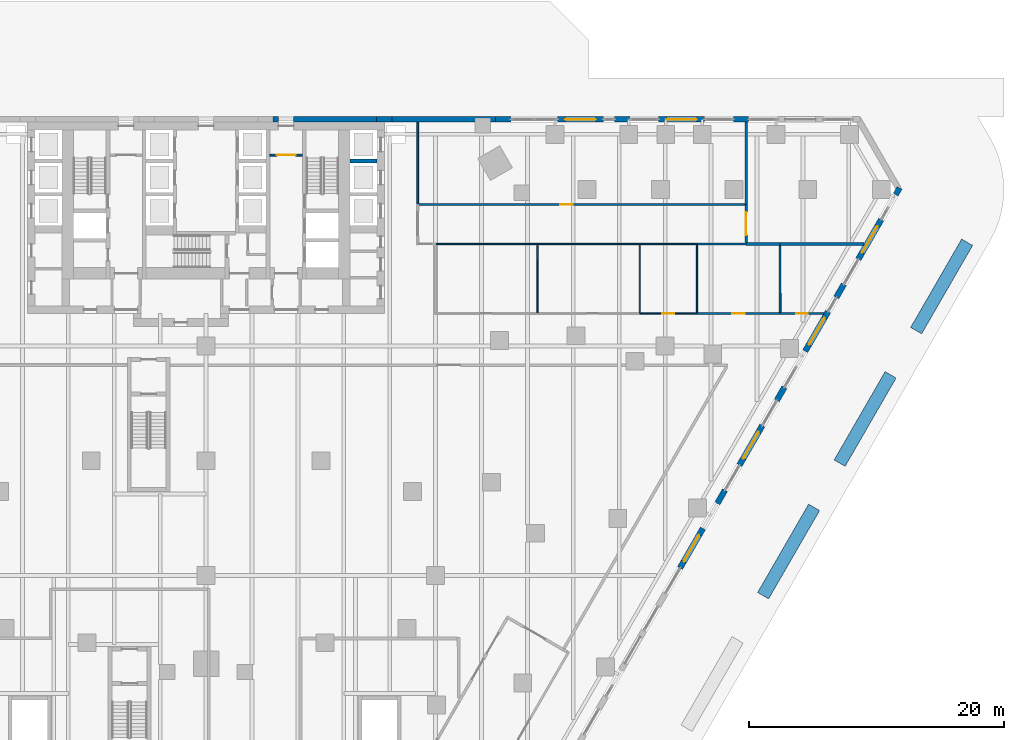
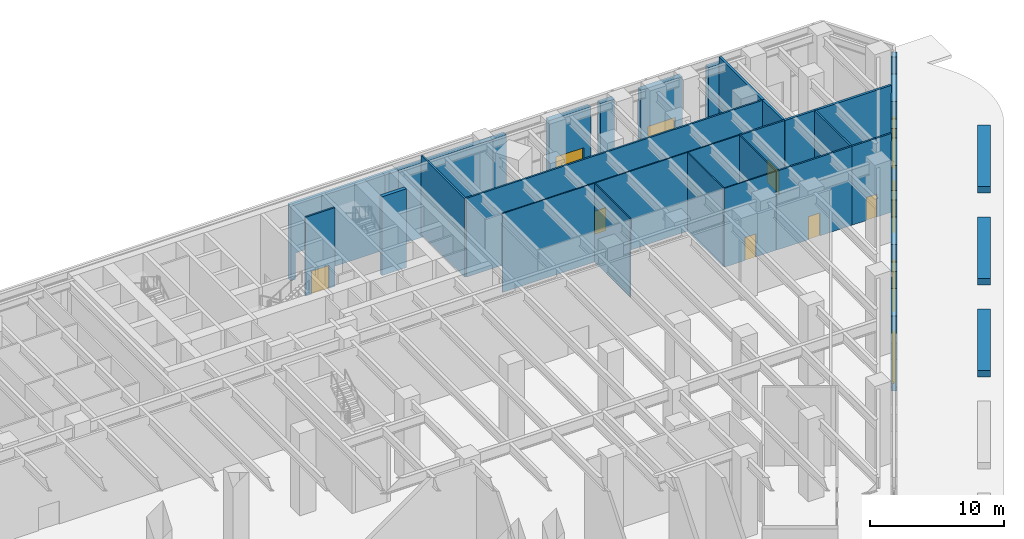
# One storey, part 32 of 37: 38 walls, 12 doors, 12 openings.
"""IFC4 building model written with IfcOpenShell, lengths in metres."""

from ifc_helpers import new_model, si_unit, direction, frame, frame_2d, origin, place, context, subcontext, project, spatial, polyline, rectangle, outline, extrude, material, layer, layer_set, type_object, element, fill, save


model = new_model("IFC4")

# Units and contexts
model_context = context("Model", 3, precision=1e-05, world=origin(), true_north=direction((0.0, 1.0)))
body_context = subcontext(model_context, "Body", "Model", "MODEL_VIEW")
ifc_project = project(units=[si_unit("LENGTHUNIT", "METRE"), si_unit("AREAUNIT", "SQUARE_METRE"), si_unit("VOLUMEUNIT", "CUBIC_METRE"), si_unit("PLANEANGLEUNIT", "RADIAN"), si_unit("MASSUNIT", "GRAM", prefix="KILO")], contexts=[model_context])

# Site, building, storey
site_placement = place(None, origin())
site = spatial("IfcSite", under=ifc_project, at=site_placement, CompositionType="ELEMENT")
building_placement = place(site_placement, origin())
building = spatial("IfcBuilding", under=site, at=building_placement, Name="Aloe Facet Convention Tower", CompositionType="ELEMENT")
storey_placement = place(building_placement, origin())
storey = spatial("IfcBuildingStorey", under=building, at=storey_placement, Name="L00", CompositionType="ELEMENT", Elevation=0.0)

# Wall, opening, door
ifc_material_1 = material(Name="Concrete blockwork partition", Category="masonry")
ifc_layer_1 = layer(ifc_material_1, 0.14990234375)
ifc_layer_set_1 = layer_set([ifc_layer_1], Name="CR-W-PART150")
wall_type_1 = type_object("IfcWallType", Name="CR-W-PART150", PredefinedType="PARTITIONING", material=ifc_layer_set_1)
wall_1_placement = place(storey_placement, frame((85.0, 131.97509765625, 0.0), z_axis=(0.0, 0.0, 1.0), x_axis=(1.0, 0.0, 0.0)))
wall_1 = element("IfcWall", 1, at=wall_1_placement, inside=storey, type_object=wall_type_1, Name="Core partition L00-040", PredefinedType="PARTITIONING", context=body_context, shape_type="SweptSolid", body=[
    extrude(rectangle(XDim=2.550048828125, YDim=0.14990234375, at=frame_2d((1.27490234375, 0.0))), origin(), (0.0, 0.0, 1.0), 7.199951171875),
])
opening_1_placement = place(wall_1_placement, frame((0.52490234375, 0.0, 0.0)))
opening_1 = element("IfcOpeningElement", 2, at=opening_1_placement, cuts=wall_1, Name="Opening L00-CD21", PredefinedType="OPENING", context=body_context, shape_type="SweptSolid", body=[
    extrude(rectangle(XDim=1.5, YDim=2.10009765625, at=frame_2d((0.75, 1.050048828125))), frame((0.0, 0.0849609375, 0.0), z_axis=(0.0, -1.0, 0.0), x_axis=(1.0, 0.0, 0.0)), (0.0, 0.0, 1.0), 0.169921875),
])
ifc_material_2 = material(Name="Steel fire-resisting door set FD60", Category="steel")
door_type_1 = type_object("IfcDoorType", Name="CR-D-REFUGE-1500-FD60-DD", OperationType="DOUBLE_DOOR_DOUBLE_SWING", PredefinedType="DOOR", material=ifc_material_2)
door_1_placement = place(opening_1_placement, origin())
door_1 = element("IfcDoor", 3, at=door_1_placement, inside=storey, type_object=door_type_1, Name="Core door L00-CD21", OperationType="DOUBLE_DOOR_DOUBLE_SWING", OverallHeight=2.10009765625, OverallWidth=1.5, PredefinedType="DOOR", context=body_context, shape_type="SweptSolid", body=[
    extrude(rectangle(XDim=1.5, YDim=2.10009765625, at=frame_2d((0.75, 1.050048828125))), frame((0.0, 0.02490234375, 0.0), z_axis=(0.0, -1.0, 0.0), x_axis=(1.0, 0.0, 0.0)), (0.0, 0.0, 1.0), 0.050048828125),
])
fill(opening_1, door_1)

# Walls
ifc_material_3 = material(Name="Concrete C80/95", Category="concrete")
ifc_layer_2 = layer(ifc_material_3, 0.300048828125)
ifc_layer_set_2 = layer_set([ifc_layer_2], Name="CR-W-RC300-C8095")
wall_type_2 = type_object("IfcWallType", Name="CR-W-RC300-C8095", PredefinedType="SOLIDWALL", material=ifc_layer_set_2)
wall_2_placement = place(storey_placement, frame((91.300048828125, 131.5, 0.0), z_axis=(0.0, 0.0, 1.0), x_axis=(1.0, 0.0, 0.0)))
element("IfcWall", 4, at=wall_2_placement, inside=storey, type_object=wall_type_2, Name="Core wall L00-050", PredefinedType="SOLIDWALL", context=body_context, shape_type="SweptSolid", body=[
    extrude(rectangle(XDim=2.099853515625, YDim=0.300048828125, at=frame_2d((1.0498046875, 0.0))), origin(), (0.0, 0.0, 1.0), 7.199951171875),
])
ifc_material_4 = material(Name="Precast concrete C40/50", Category="concrete")
ifc_layer_3 = layer(ifc_material_4, 1.0)
ifc_layer_set_3 = layer_set([ifc_layer_3], Name="EV-PLANTER-BED")
wall_type_3 = type_object("IfcWallType", Name="EV-PLANTER-BED", PredefinedType="STANDARD", material=ifc_layer_set_3)
wall_3_placement = place(storey_placement, frame((139.6787109375, 125.13720703125, 0.0), z_axis=(0.0, 0.0, 1.0), x_axis=(-0.49999894854, -0.866026010844, 0.0)))
element("IfcWall", 5, at=wall_3_placement, inside=storey, type_object=wall_type_3, Name="PLANTER G-1", PredefinedType="STANDARD", context=body_context, shape_type="SweptSolid", body=[
    extrude(rectangle(XDim=8.0, YDim=1.0, at=frame_2d((4.0, 0.0))), origin(), (0.0, 0.0, 1.0), 0.60009765625),
])
wall_4_placement = place(storey_placement, frame((133.6787109375, 114.744873046875, 0.0), z_axis=(0.0, 0.0, 1.0), x_axis=(-0.500012163284, -0.866018381195, 0.0)))
element("IfcWall", 6, at=wall_4_placement, inside=storey, type_object=wall_type_3, Name="PLANTER G-2", PredefinedType="STANDARD", context=body_context, shape_type="SweptSolid", body=[
    extrude(rectangle(XDim=7.999755859375, YDim=1.0, at=frame_2d((4.0, 0.0))), origin(), (0.0, 0.0, 1.0), 0.60009765625),
])
wall_5_placement = place(storey_placement, frame((127.6787109375, 104.352783203125, 0.0), z_axis=(0.0, 0.0, 1.0), x_axis=(-0.49999894854, -0.866026010844, 0.0)))
element("IfcWall", 7, at=wall_5_placement, inside=storey, type_object=wall_type_3, Name="PLANTER G-3", PredefinedType="STANDARD", context=body_context, shape_type="SweptSolid", body=[
    extrude(rectangle(XDim=8.0, YDim=1.0, at=frame_2d((4.0, 0.0))), origin(), (0.0, 0.0, 1.0), 0.60009765625),
])
ifc_material_5 = material(Name="Precast concrete C40/50", Category="concrete")
ifc_layer_4 = layer(ifc_material_5, 0.449951171875)
ifc_layer_set_4 = layer_set([ifc_layer_4], Name="EV-WALL-STONE")
wall_type_4 = type_object("IfcWallType", Name="EV-WALL-STONE", PredefinedType="SOLIDWALL", material=ifc_layer_set_4)
wall_6_placement = place(storey_placement, frame((122.546142578125, 134.77490234375, -0.300048828125), z_axis=(0.0, 0.0, 1.0), x_axis=(-1.0, 0.0, 0.0)))
element("IfcWall", 8, at=wall_6_placement, inside=storey, type_object=wall_type_4, Name="PW-L00-N03", PredefinedType="SOLIDWALL", context=body_context, shape_type="SweptSolid", body=[
    extrude(rectangle(XDim=1.199951171875, YDim=0.449951171875, at=frame_2d((0.60009765625, 0.0))), origin(), (0.0, 0.0, 1.0), 6.8125),
])

# Wall, opening, door
wall_7_placement = place(storey_placement, frame((115.4853515625, 134.77490234375, -0.300048828125), z_axis=(0.0, 0.0, 1.0), x_axis=(1.0, 0.0, 0.0)))
wall_7 = element("IfcWall", 9, at=wall_7_placement, inside=storey, type_object=wall_type_4, Name="PW-L00-N04", PredefinedType="SOLIDWALL", context=body_context, shape_type="SweptSolid", body=[
    extrude(rectangle(XDim=3.60009765625, YDim=0.449951171875, at=frame_2d((1.800048828125, 0.0))), origin(), (0.0, 0.0, 1.0), 6.8125),
])
opening_2_placement = place(wall_7_placement, frame((0.60009765625, 0.0, 0.300048828125)))
opening_2 = element("IfcOpeningElement", 10, at=opening_2_placement, cuts=wall_7, Name="Opening D-L00-N04", PredefinedType="OPENING", context=body_context, shape_type="SweptSolid", body=[
    extrude(rectangle(XDim=2.39990234375, YDim=3.0, at=frame_2d((1.199951171875, 1.5))), frame((0.0, 0.23486328125, 0.0), z_axis=(0.0, -1.0, 0.0), x_axis=(1.0, 0.0, 0.0)), (0.0, 0.0, 1.0), 0.469970703125),
])
ifc_material_6 = material(Name="Aluminium frame, clear double glazing", Category="aluminium")
door_type_2 = type_object("IfcDoorType", Name="EV-DOOR-ENTRY", OperationType="DOUBLE_DOOR_SINGLE_SWING", PredefinedType="DOOR", material=ifc_material_6)
door_2_placement = place(opening_2_placement, origin())
door_2 = element("IfcDoor", 11, at=door_2_placement, inside=storey, type_object=door_type_2, Name="D-L00-N04", OperationType="DOUBLE_DOOR_SINGLE_SWING", OverallHeight=3.0, OverallWidth=2.39990234375, PredefinedType="DOOR", context=body_context, shape_type="SweptSolid", body=[
    extrude(rectangle(XDim=2.39990234375, YDim=3.0, at=frame_2d((1.199951171875, 1.5))), frame((0.0, 0.02490234375, 0.0), z_axis=(0.0, -1.0, 0.0), x_axis=(1.0, 0.0, 0.0)), (0.0, 0.0, 1.0), 0.050048828125),
])
fill(opening_2, door_2)

# Wall
wall_8_placement = place(storey_placement, frame((113.224853515625, 134.77490234375, -0.300048828125), z_axis=(0.0, 0.0, 1.0), x_axis=(-1.0, 0.0, 0.0)))
element("IfcWall", 12, at=wall_8_placement, inside=storey, type_object=wall_type_4, Name="PW-L00-N05", PredefinedType="SOLIDWALL", context=body_context, shape_type="SweptSolid", body=[
    extrude(rectangle(XDim=1.199951171875, YDim=0.449951171875, at=frame_2d((0.60009765625, 0.0))), origin(), (0.0, 0.0, 1.0), 6.8125),
])

# Wall, opening, door
wall_9_placement = place(storey_placement, frame((111.1640625, 134.77490234375, -0.300048828125), z_axis=(0.0, 0.0, 1.0), x_axis=(-1.0, 0.0, 0.0)))
wall_9 = element("IfcWall", 13, at=wall_9_placement, inside=storey, type_object=wall_type_4, Name="PW-L00-N06", PredefinedType="SOLIDWALL", context=body_context, shape_type="SweptSolid", body=[
    extrude(rectangle(XDim=3.599853515625, YDim=0.449951171875, at=frame_2d((1.7998046875, 0.0))), origin(), (0.0, 0.0, 1.0), 6.8125),
])
opening_3_placement = place(wall_9_placement, frame((0.60009765625, 0.0, 0.300048828125)))
opening_3 = element("IfcOpeningElement", 14, at=opening_3_placement, cuts=wall_9, Name="Opening D-L00-N06", PredefinedType="OPENING", context=body_context, shape_type="SweptSolid", body=[
    extrude(rectangle(XDim=2.39990234375, YDim=3.0, at=frame_2d((1.199951171875, 1.5))), frame((0.0, 0.23486328125, 0.0), z_axis=(0.0, -1.0, 0.0), x_axis=(1.0, 0.0, 0.0)), (0.0, 0.0, 1.0), 0.469970703125),
])
door_3_placement = place(opening_3_placement, origin())
door_3 = element("IfcDoor", 15, at=door_3_placement, inside=storey, type_object=door_type_2, Name="D-L00-N06", OperationType="DOUBLE_DOOR_SINGLE_SWING", OverallHeight=3.0, OverallWidth=2.39990234375, PredefinedType="DOOR", context=body_context, shape_type="SweptSolid", body=[
    extrude(rectangle(XDim=2.39990234375, YDim=3.0, at=frame_2d((1.199951171875, 1.5))), frame((0.0, 0.02490234375, 0.0), z_axis=(0.0, -1.0, 0.0), x_axis=(1.0, 0.0, 0.0)), (0.0, 0.0, 1.0), 0.050048828125),
])
fill(opening_3, door_3)

# Walls
wall_10_placement = place(storey_placement, frame((103.9033203125, 134.77490234375, -0.300048828125), z_axis=(0.0, 0.0, 1.0), x_axis=(-1.0, 0.0, 0.0)))
element("IfcWall", 16, at=wall_10_placement, inside=storey, type_object=wall_type_4, Name="PW-L00-N07", PredefinedType="SOLIDWALL", context=body_context, shape_type="SweptSolid", body=[
    extrude(rectangle(XDim=1.199951171875, YDim=0.449951171875, at=frame_2d((0.60009765625, 0.0))), origin(), (0.0, 0.0, 1.0), 6.8125),
])
wall_11_placement = place(storey_placement, frame((102.703369140625, 134.77490234375, -0.300048828125), z_axis=(0.0, 0.0, 1.0), x_axis=(-1.0, 0.0, 0.0)))
element("IfcWall", 17, at=wall_11_placement, inside=storey, type_object=wall_type_4, Name="PW-L00-N08", PredefinedType="SOLIDWALL", context=body_context, shape_type="SweptSolid", body=[
    extrude(rectangle(XDim=8.121337890625, YDim=0.449951171875, at=frame_2d((4.060546875, 0.0))), origin(), (0.0, 0.0, 1.0), 6.8125),
])
wall_12_placement = place(storey_placement, frame((94.58203125, 134.77490234375, -0.300048828125), z_axis=(0.0, 0.0, 1.0), x_axis=(-1.0, 0.0, 0.0)))
element("IfcWall", 18, at=wall_12_placement, inside=storey, type_object=wall_type_4, Name="PW-L00-N09", PredefinedType="SOLIDWALL", context=body_context, shape_type="SweptSolid", body=[
    extrude(rectangle(XDim=1.199951171875, YDim=0.449951171875, at=frame_2d((0.60009765625, 0.0))), origin(), (0.0, 0.0, 1.0), 6.8125),
])
wall_13_placement = place(storey_placement, frame((93.382080078125, 134.77490234375, -0.300048828125), z_axis=(0.0, 0.0, 1.0), x_axis=(-1.0, 0.0, 0.0)))
element("IfcWall", 19, at=wall_13_placement, inside=storey, type_object=wall_type_4, Name="PW-L00-N10", PredefinedType="SOLIDWALL", context=body_context, shape_type="SweptSolid", body=[
    extrude(outline(polyline([(0.0, 0.0), (6.507080078125, 0.0), (6.507080078125, 2.400146484375), (7.70703125, 2.400146484375), (7.70703125, 0.0), (8.121337890625, 0.0), (8.121337890625, 6.8125), (0.0, 6.8125), (0.0, 0.0)])), frame((0.0, 0.22509765625, 0.0), z_axis=(0.0, -1.0, 0.0), x_axis=(1.0, 0.0, 0.0)), (0.0, 0.0, 1.0), 0.449951171875),
])

# Wall, opening, door
wall_14_placement = place(storey_placement, frame((117.16015625, 99.583984375, -0.300048828125), z_axis=(0.0, 0.0, 1.0), x_axis=(0.500012057535, 0.866018442252, 0.0)))
wall_14 = element("IfcWall", 20, at=wall_14_placement, inside=storey, type_object=wall_type_4, Name="PW-L00-E16", PredefinedType="SOLIDWALL", context=body_context, shape_type="SweptSolid", body=[
    extrude(rectangle(XDim=3.60009765625, YDim=0.449951171875, at=frame_2d((1.800048828125, 0.0))), origin(), (0.0, 0.0, 1.0), 6.8125),
])
opening_4_placement = place(wall_14_placement, frame((0.60009765625, 0.0, 0.300048828125)))
opening_4 = element("IfcOpeningElement", 21, at=opening_4_placement, cuts=wall_14, Name="Opening D-L00-E16", PredefinedType="OPENING", context=body_context, shape_type="SweptSolid", body=[
    extrude(rectangle(XDim=2.39990234375, YDim=3.0, at=frame_2d((1.199951171875, 1.5))), frame((0.0, 0.23486328125, 0.0), z_axis=(0.0, -1.0, 0.0), x_axis=(1.0, 0.0, 0.0)), (0.0, 0.0, 1.0), 0.469970703125),
])
door_4_placement = place(opening_4_placement, origin())
door_4 = element("IfcDoor", 22, at=door_4_placement, inside=storey, type_object=door_type_2, Name="D-L00-E16", OperationType="DOUBLE_DOOR_SINGLE_SWING", OverallHeight=3.0, OverallWidth=2.39990234375, PredefinedType="DOOR", context=body_context, shape_type="SweptSolid", body=[
    extrude(rectangle(XDim=2.39990234375, YDim=3.0, at=frame_2d((1.199951171875, 1.5))), frame((0.0, 0.02490234375, 0.0), z_axis=(0.0, -1.0, 0.0), x_axis=(1.0, 0.0, 0.0)), (0.0, 0.0, 1.0), 0.050048828125),
])
fill(opening_4, door_4)

# Wall
wall_15_placement = place(storey_placement, frame((120.090576171875, 104.659423828125, -0.300048828125), z_axis=(0.0, 0.0, 1.0), x_axis=(0.500033551112, 0.866006032174, 0.0)))
element("IfcWall", 23, at=wall_15_placement, inside=storey, type_object=wall_type_4, Name="PW-L00-E17", PredefinedType="SOLIDWALL", context=body_context, shape_type="SweptSolid", body=[
    extrude(rectangle(XDim=1.2001953125, YDim=0.449951171875, at=frame_2d((0.60009765625, 0.0))), origin(), (0.0, 0.0, 1.0), 6.8125),
])

# Wall, opening, door
wall_16_placement = place(storey_placement, frame((121.821044921875, 107.656494140625, -0.300048828125), z_axis=(0.0, 0.0, 1.0), x_axis=(0.499961193289, 0.866047807691, 0.0)))
wall_16 = element("IfcWall", 24, at=wall_16_placement, inside=storey, type_object=wall_type_4, Name="PW-L00-E18", PredefinedType="SOLIDWALL", context=body_context, shape_type="SweptSolid", body=[
    extrude(rectangle(XDim=3.599853515625, YDim=0.449951171875, at=frame_2d((1.7998046875, 0.0))), origin(), (0.0, 0.0, 1.0), 6.8125),
])
opening_5_placement = place(wall_16_placement, frame((0.60009765625, 0.0, 0.300048828125)))
opening_5 = element("IfcOpeningElement", 25, at=opening_5_placement, cuts=wall_16, Name="Opening D-L00-E18", PredefinedType="OPENING", context=body_context, shape_type="SweptSolid", body=[
    extrude(rectangle(XDim=2.39990234375, YDim=3.0, at=frame_2d((1.199951171875, 1.5))), frame((0.0, 0.23486328125, 0.0), z_axis=(0.0, -1.0, 0.0), x_axis=(1.0, 0.0, 0.0)), (0.0, 0.0, 1.0), 0.469970703125),
])
door_5_placement = place(opening_5_placement, origin())
door_5 = element("IfcDoor", 26, at=door_5_placement, inside=storey, type_object=door_type_2, Name="D-L00-E18", OperationType="DOUBLE_DOOR_SINGLE_SWING", OverallHeight=3.0, OverallWidth=2.39990234375, PredefinedType="DOOR", context=body_context, shape_type="SweptSolid", body=[
    extrude(rectangle(XDim=2.39990234375, YDim=3.0, at=frame_2d((1.199951171875, 1.5))), frame((0.0, 0.02490234375, 0.0), z_axis=(0.0, -1.0, 0.0), x_axis=(1.0, 0.0, 0.0)), (0.0, 0.0, 1.0), 0.050048828125),
])
fill(opening_5, door_5)

# Wall
wall_17_placement = place(storey_placement, frame((124.751220703125, 112.73193359375, -0.300048828125), z_axis=(0.0, 0.0, 1.0), x_axis=(0.500033551112, 0.866006032174, 0.0)))
element("IfcWall", 27, at=wall_17_placement, inside=storey, type_object=wall_type_4, Name="PW-L00-E19", PredefinedType="SOLIDWALL", context=body_context, shape_type="SweptSolid", body=[
    extrude(rectangle(XDim=1.2001953125, YDim=0.449951171875, at=frame_2d((0.60009765625, 0.0))), origin(), (0.0, 0.0, 1.0), 6.8125),
])

# Wall, opening, door
wall_18_placement = place(storey_placement, frame((126.981689453125, 116.59521484375, -0.300048828125), z_axis=(0.0, 0.0, 1.0), x_axis=(0.500012057535, 0.866018442252, 0.0)))
wall_18 = element("IfcWall", 28, at=wall_18_placement, inside=storey, type_object=wall_type_4, Name="PW-L00-E20", PredefinedType="SOLIDWALL", context=body_context, shape_type="SweptSolid", body=[
    extrude(rectangle(XDim=3.60009765625, YDim=0.449951171875, at=frame_2d((1.800048828125, 0.0))), origin(), (0.0, 0.0, 1.0), 6.8125),
])
opening_6_placement = place(wall_18_placement, frame((0.60009765625, 0.0, 0.300048828125)))
opening_6 = element("IfcOpeningElement", 29, at=opening_6_placement, cuts=wall_18, Name="Opening D-L00-E20", PredefinedType="OPENING", context=body_context, shape_type="SweptSolid", body=[
    extrude(rectangle(XDim=2.39990234375, YDim=3.0, at=frame_2d((1.199951171875, 1.5))), frame((0.0, 0.23486328125, 0.0), z_axis=(0.0, -1.0, 0.0), x_axis=(1.0, 0.0, 0.0)), (0.0, 0.0, 1.0), 0.469970703125),
])
door_6_placement = place(opening_6_placement, origin())
door_6 = element("IfcDoor", 30, at=door_6_placement, inside=storey, type_object=door_type_2, Name="D-L00-E20", OperationType="DOUBLE_DOOR_SINGLE_SWING", OverallHeight=3.0, OverallWidth=2.39990234375, PredefinedType="DOOR", context=body_context, shape_type="SweptSolid", body=[
    extrude(rectangle(XDim=2.39990234375, YDim=3.0, at=frame_2d((1.199951171875, 1.5))), frame((0.0, 0.02490234375, 0.0), z_axis=(0.0, -1.0, 0.0), x_axis=(1.0, 0.0, 0.0)), (0.0, 0.0, 1.0), 0.050048828125),
])
fill(opening_6, door_6)

# Wall
wall_19_placement = place(storey_placement, frame((129.411865234375, 120.8046875, -0.300048828125), z_axis=(0.0, 0.0, 1.0), x_axis=(0.50012165622, 0.865955154139, 0.0)))
element("IfcWall", 31, at=wall_19_placement, inside=storey, type_object=wall_type_4, Name="PW-L00-E21", PredefinedType="SOLIDWALL", context=body_context, shape_type="SweptSolid", body=[
    extrude(rectangle(XDim=1.199951171875, YDim=0.449951171875, at=frame_2d((0.60009765625, 0.0))), origin(), (0.0, 0.0, 1.0), 6.8125),
])

# Wall, opening, door
wall_20_placement = place(storey_placement, frame((131.142333984375, 123.801513671875, -0.300048828125), z_axis=(0.0, 0.0, 1.0), x_axis=(0.500012057535, 0.866018442252, 0.0)))
wall_20 = element("IfcWall", 32, at=wall_20_placement, inside=storey, type_object=wall_type_4, Name="PW-L00-E22", PredefinedType="SOLIDWALL", context=body_context, shape_type="SweptSolid", body=[
    extrude(rectangle(XDim=3.60009765625, YDim=0.449951171875, at=frame_2d((1.800048828125, 0.0))), origin(), (0.0, 0.0, 1.0), 6.8125),
])
opening_7_placement = place(wall_20_placement, frame((0.60009765625, 0.0, 0.300048828125)))
opening_7 = element("IfcOpeningElement", 33, at=opening_7_placement, cuts=wall_20, Name="Opening D-L00-E22", PredefinedType="OPENING", context=body_context, shape_type="SweptSolid", body=[
    extrude(rectangle(XDim=2.39990234375, YDim=3.0, at=frame_2d((1.199951171875, 1.5))), frame((0.0, 0.23486328125, 0.0), z_axis=(0.0, -1.0, 0.0), x_axis=(1.0, 0.0, 0.0)), (0.0, 0.0, 1.0), 0.469970703125),
])
door_7_placement = place(opening_7_placement, origin())
door_7 = element("IfcDoor", 34, at=door_7_placement, inside=storey, type_object=door_type_2, Name="D-L00-E22", OperationType="DOUBLE_DOOR_SINGLE_SWING", OverallHeight=3.0, OverallWidth=2.39990234375, PredefinedType="DOOR", context=body_context, shape_type="SweptSolid", body=[
    extrude(rectangle(XDim=2.39990234375, YDim=3.0, at=frame_2d((1.199951171875, 1.5))), frame((0.0, 0.02490234375, 0.0), z_axis=(0.0, -1.0, 0.0), x_axis=(1.0, 0.0, 0.0)), (0.0, 0.0, 1.0), 0.050048828125),
])
fill(opening_7, door_7)

# Walls
wall_21_placement = place(storey_placement, frame((134.07275390625, 128.877197265625, -0.300048828125), z_axis=(0.0, 0.0, 1.0), x_axis=(0.499816412211, 0.866131372301, 0.0)))
element("IfcWall", 35, at=wall_21_placement, inside=storey, type_object=wall_type_4, Name="PW-L00-E23", PredefinedType="SOLIDWALL", context=body_context, shape_type="SweptSolid", body=[
    extrude(rectangle(XDim=0.599853515625, YDim=0.449951171875, at=frame_2d((0.2998046875, 0.0))), origin(), (0.0, 0.0, 1.0), 6.8125),
])
ifc_material_7 = material(Name="Masonry blockwork wall, plastered", Category="masonry")
ifc_layer_5 = layer(ifc_material_7, 0.199951171875)
ifc_layer_set_5 = layer_set([ifc_layer_5], Name="IN-POD-W-ASSY")
wall_type_5 = type_object("IfcWallType", Name="IN-POD-W-ASSY", PredefinedType="PARTITIONING", material=ifc_layer_set_5)
wall_22_placement = place(storey_placement, frame((122.34619140625, 125.0, 0.0), z_axis=(0.0, 0.0, 1.0), x_axis=(1.0, 0.0, 0.0)))
element("IfcWall", 36, at=wall_22_placement, inside=storey, type_object=wall_type_5, Name="Partition L00-W064", PredefinedType="PARTITIONING", context=body_context, shape_type="SweptSolid", body=[
    extrude(rectangle(XDim=2.65380859375, YDim=0.199951171875, at=frame_2d((1.326904296875, 0.0))), origin(), (0.0, 0.0, 1.0), 7.199951171875),
])
wall_23_placement = place(storey_placement, frame((125.0, 125.0, 0.0), z_axis=(0.0, 0.0, 1.0), x_axis=(1.0, 0.0, 0.0)))
element("IfcWall", 37, at=wall_23_placement, inside=storey, type_object=wall_type_5, Name="Partition L00-W065", PredefinedType="PARTITIONING", context=body_context, shape_type="SweptSolid", body=[
    extrude(rectangle(XDim=6.574462890625, YDim=0.199951171875, at=frame_2d((3.287109375, 0.0))), origin(), (0.0, 0.0, 1.0), 7.199951171875),
])

# Wall, opening, door
wall_24_placement = place(storey_placement, frame((122.34619140625, 125.10009765625, 0.0), z_axis=(0.0, 0.0, 1.0), x_axis=(0.0, 1.0, 0.0)))
wall_24 = element("IfcWall", 38, at=wall_24_placement, inside=storey, type_object=wall_type_5, Name="Partition L00-W066", PredefinedType="PARTITIONING", context=body_context, shape_type="SweptSolid", body=[
    extrude(rectangle(XDim=3.0, YDim=0.199951171875, at=frame_2d((1.5, 0.0))), origin(), (0.0, 0.0, 1.0), 7.199951171875),
])
opening_8_placement = place(wall_24_placement, frame((0.60009765625, 0.0, 0.0)))
opening_8 = element("IfcOpeningElement", 39, at=opening_8_placement, cuts=wall_24, Name="Opening L00-005", PredefinedType="OPENING", context=body_context, shape_type="SweptSolid", body=[
    extrude(rectangle(XDim=1.800048828125, YDim=2.10009765625, at=frame_2d((0.89990234375, 1.050048828125))), frame((0.0, 0.10986328125, 0.0), z_axis=(0.0, -1.0, 0.0), x_axis=(1.0, 0.0, 0.0)), (0.0, 0.0, 1.0), 0.219970703125),
])
ifc_material_8 = material(Name="Hardwood flush door pair", Category="wood")
door_type_3 = type_object("IfcDoorType", Name="IN-POD-D-PAIR", OperationType="DOUBLE_DOOR_SINGLE_SWING", PredefinedType="DOOR", material=ifc_material_8)
door_8_placement = place(opening_8_placement, origin())
door_8 = element("IfcDoor", 40, at=door_8_placement, inside=storey, type_object=door_type_3, Name="Door L00-005", OperationType="SINGLE_SWING_LEFT", OverallHeight=2.10009765625, OverallWidth=1.800048828125, PredefinedType="DOOR", context=body_context, shape_type="SweptSolid", body=[
    extrude(rectangle(XDim=1.800048828125, YDim=2.10009765625, at=frame_2d((0.89990234375, 1.050048828125))), frame((0.0, 0.02490234375, 0.0), z_axis=(0.0, -1.0, 0.0), x_axis=(1.0, 0.0, 0.0)), (0.0, 0.0, 1.0), 0.050048828125),
])
fill(opening_8, door_8)

# Wall
wall_25_placement = place(storey_placement, frame((122.34619140625, 128.10009765625, 0.0), z_axis=(0.0, 0.0, 1.0), x_axis=(0.0, 1.0, 0.0)))
element("IfcWall", 41, at=wall_25_placement, inside=storey, type_object=wall_type_5, Name="Partition L00-W073", PredefinedType="PARTITIONING", context=body_context, shape_type="SweptSolid", body=[
    extrude(rectangle(XDim=6.449951171875, YDim=0.199951171875, at=frame_2d((3.22509765625, 0.0))), origin(), (0.0, 0.0, 1.0), 7.199951171875),
])

# Wall, opening, door
ifc_material_9 = material(Name="Gypsum board partition on steel studs, double layer", Category="steel")
ifc_layer_6 = layer(ifc_material_9, 0.14990234375)
ifc_layer_set_6 = layer_set([ifc_layer_6], Name="IN-POD-W-CORR")
wall_type_6 = type_object("IfcWallType", Name="IN-POD-W-CORR", PredefinedType="PARTITIONING", material=ifc_layer_set_6)
wall_26_placement = place(storey_placement, frame((118.489990234375, 119.550048828125, 0.0), z_axis=(0.0, 0.0, 1.0), x_axis=(1.0, 0.0, 0.0)))
wall_26 = element("IfcWall", 42, at=wall_26_placement, inside=storey, type_object=wall_type_6, Name="Partition L00-W050", PredefinedType="PARTITIONING", context=body_context, shape_type="SweptSolid", body=[
    extrude(rectangle(XDim=6.52001953125, YDim=0.14990234375, at=frame_2d((3.260009765625, 0.0))), origin(), (0.0, 0.0, 1.0), 7.199951171875),
])
opening_9_placement = place(wall_26_placement, frame((2.760009765625, 0.0, 0.0)))
opening_9 = element("IfcOpeningElement", 43, at=opening_9_placement, cuts=wall_26, Name="Opening L00-012", PredefinedType="OPENING", context=body_context, shape_type="SweptSolid", body=[
    extrude(rectangle(XDim=1.0, YDim=2.10009765625, at=frame_2d((0.5, 1.050048828125))), frame((0.0, 0.0849609375, 0.0), z_axis=(0.0, -1.0, 0.0), x_axis=(1.0, 0.0, 0.0)), (0.0, 0.0, 1.0), 0.169921875),
])
ifc_material_10 = material(Name="Steel flush door, galvanised", Category="steel")
door_type_4 = type_object("IfcDoorType", Name="IN-POD-D-PLANT", OperationType="SINGLE_SWING_LEFT", PredefinedType="DOOR", material=ifc_material_10)
door_9_placement = place(opening_9_placement, origin())
door_9 = element("IfcDoor", 44, at=door_9_placement, inside=storey, type_object=door_type_4, Name="Door L00-012", OperationType="SINGLE_SWING_LEFT", OverallHeight=2.10009765625, OverallWidth=1.0, PredefinedType="DOOR", context=body_context, shape_type="SweptSolid", body=[
    extrude(rectangle(XDim=1.0, YDim=2.10009765625, at=frame_2d((0.5, 1.050048828125))), frame((0.0, 0.02490234375, 0.0), z_axis=(0.0, -1.0, 0.0), x_axis=(1.0, 0.0, 0.0)), (0.0, 0.0, 1.0), 0.050048828125),
])
fill(opening_9, door_9)

wall_27_placement = place(storey_placement, frame((125.010009765625, 119.550048828125, 0.0), z_axis=(0.0, 0.0, 1.0), x_axis=(1.0, 0.0, 0.0)))
wall_27 = element("IfcWall", 45, at=wall_27_placement, inside=storey, type_object=wall_type_6, Name="Partition L00-W052", PredefinedType="PARTITIONING", context=body_context, shape_type="SweptSolid", body=[
    extrude(rectangle(XDim=3.417724609375, YDim=0.14990234375, at=frame_2d((1.708984375, 0.0))), origin(), (0.0, 0.0, 1.0), 7.199951171875),
])
opening_10_placement = place(wall_27_placement, frame((1.2587890625, 0.0, 0.0)))
opening_10 = element("IfcOpeningElement", 46, at=opening_10_placement, cuts=wall_27, Name="Opening L00-013", PredefinedType="OPENING", context=body_context, shape_type="SweptSolid", body=[
    extrude(rectangle(XDim=0.89990234375, YDim=2.10009765625, at=frame_2d((0.449951171875, 1.050048828125))), frame((0.0, 0.0849609375, 0.0), z_axis=(0.0, -1.0, 0.0), x_axis=(1.0, 0.0, 0.0)), (0.0, 0.0, 1.0), 0.169921875),
])
ifc_material_11 = material(Name="Hardwood flush door", Category="wood")
door_type_5 = type_object("IfcDoorType", Name="IN-POD-D-SGL", OperationType="SINGLE_SWING_LEFT", PredefinedType="DOOR", material=ifc_material_11)
door_10_placement = place(opening_10_placement, origin())
door_10 = element("IfcDoor", 47, at=door_10_placement, inside=storey, type_object=door_type_5, Name="Door L00-013", OperationType="SINGLE_SWING_LEFT", OverallHeight=2.10009765625, OverallWidth=0.89990234375, PredefinedType="DOOR", context=body_context, shape_type="SweptSolid", body=[
    extrude(rectangle(XDim=0.89990234375, YDim=2.10009765625, at=frame_2d((0.449951171875, 1.050048828125))), frame((0.0, 0.02490234375, 0.0), z_axis=(0.0, -1.0, 0.0), x_axis=(1.0, 0.0, 0.0)), (0.0, 0.0, 1.0), 0.050048828125),
])
fill(opening_10, door_10)

# Walls
wall_28_placement = place(storey_placement, frame((125.009765625, 119.625, 0.0), z_axis=(0.0, 0.0, 1.0), x_axis=(-0.001805051211, 0.999998370894, 0.0)))
element("IfcWall", 48, at=wall_28_placement, inside=storey, type_object=wall_type_6, Name="Partition L00-W053", PredefinedType="PARTITIONING", context=body_context, shape_type="SweptSolid", body=[
    extrude(rectangle(XDim=5.27490234375, YDim=0.14990234375, at=frame_2d((2.637451171875, 0.0))), origin(), (0.0, 0.0, 1.0), 7.199951171875),
])
wall_29_placement = place(storey_placement, frame((118.5, 125.0, 0.0), z_axis=(0.0, 0.0, 1.0), x_axis=(1.0, 0.0, 0.0)))
element("IfcWall", 49, at=wall_29_placement, inside=storey, type_object=wall_type_6, Name="Partition L00-W063", PredefinedType="PARTITIONING", context=body_context, shape_type="SweptSolid", body=[
    extrude(rectangle(XDim=3.84619140625, YDim=0.14990234375, at=frame_2d((1.923095703125, 0.0))), origin(), (0.0, 0.0, 1.0), 7.199951171875),
])

# Wall, opening, door
wall_30_placement = place(storey_placement, frame((96.675048828125, 128.10009765625, 0.0), z_axis=(0.0, 0.0, 1.0), x_axis=(1.0, 0.0, 0.0)))
wall_30 = element("IfcWall", 50, at=wall_30_placement, inside=storey, type_object=wall_type_6, Name="Partition L00-W067", PredefinedType="PARTITIONING", context=body_context, shape_type="SweptSolid", body=[
    extrude(rectangle(XDim=25.571044921875, YDim=0.14990234375, at=frame_2d((12.78564453125, 0.0))), origin(), (0.0, 0.0, 1.0), 7.199951171875),
])
opening_11_placement = place(wall_30_placement, frame((11.0869140625, 0.0, 0.0)))
opening_11 = element("IfcOpeningElement", 51, at=opening_11_placement, cuts=wall_30, Name="Opening L00-008", PredefinedType="OPENING", context=body_context, shape_type="SweptSolid", body=[
    extrude(rectangle(XDim=1.0, YDim=2.10009765625, at=frame_2d((0.5, 1.050048828125))), frame((0.0, 0.0849609375, 0.0), z_axis=(0.0, -1.0, 0.0), x_axis=(1.0, 0.0, 0.0)), (0.0, 0.0, 1.0), 0.169921875),
])
ifc_material_12 = material(Name="Hardwood flush door", Category="wood")
door_type_6 = type_object("IfcDoorType", Name="IN-POD-D-WIDE", OperationType="SINGLE_SWING_LEFT", PredefinedType="DOOR", material=ifc_material_12)
door_11_placement = place(opening_11_placement, origin())
door_11 = element("IfcDoor", 52, at=door_11_placement, inside=storey, type_object=door_type_6, Name="Door L00-008", OperationType="SINGLE_SWING_LEFT", OverallHeight=2.10009765625, OverallWidth=1.0, PredefinedType="DOOR", context=body_context, shape_type="SweptSolid", body=[
    extrude(rectangle(XDim=1.0, YDim=2.10009765625, at=frame_2d((0.5, 1.050048828125))), frame((0.0, 0.02490234375, 0.0), z_axis=(0.0, -1.0, 0.0), x_axis=(1.0, 0.0, 0.0)), (0.0, 0.0, 1.0), 0.050048828125),
])
fill(opening_11, door_11)

# Walls
wall_31_placement = place(storey_placement, frame((96.60009765625, 128.10009765625, 0.0), z_axis=(0.0, 0.0, 1.0), x_axis=(0.0, 1.0, 0.0)))
element("IfcWall", 53, at=wall_31_placement, inside=storey, type_object=wall_type_6, Name="Partition L00-W072", PredefinedType="PARTITIONING", context=body_context, shape_type="SweptSolid", body=[
    extrude(rectangle(XDim=6.449951171875, YDim=0.14990234375, at=frame_2d((3.22509765625, 0.0))), origin(), (0.0, 0.0, 1.0), 7.199951171875),
])
ifc_material_13 = material(Name="Gypsum board partition on steel studs, moisture resistant", Category="steel")
ifc_layer_7 = layer(ifc_material_13, 0.10009765625)
ifc_layer_set_7 = layer_set([ifc_layer_7], Name="IN-POD-W-WET")
wall_type_7 = type_object("IfcWallType", Name="IN-POD-W-WET", PredefinedType="PARTITIONING", material=ifc_layer_set_7)
wall_32_placement = place(storey_placement, frame((105.990234375, 119.625, 0.0), z_axis=(0.0, 0.0, 1.0), x_axis=(0.001796487036, 0.999998386316, 0.0)))
element("IfcWall", 54, at=wall_32_placement, inside=storey, type_object=wall_type_7, Name="Partition L00-W047", PredefinedType="PARTITIONING", context=body_context, shape_type="SweptSolid", body=[
    extrude(rectangle(XDim=5.300048828125, YDim=0.10009765625, at=frame_2d((2.64990234375, 0.0))), origin(), (0.0, 0.0, 1.0), 7.199951171875),
])

# Wall, opening, door
wall_33_placement = place(storey_placement, frame((114.010009765625, 119.550048828125, 0.0), z_axis=(0.0, 0.0, 1.0), x_axis=(1.0, 0.0, 0.0)))
wall_33 = element("IfcWall", 55, at=wall_33_placement, inside=storey, type_object=wall_type_7, Name="Partition L00-W048", PredefinedType="PARTITIONING", context=body_context, shape_type="SweptSolid", body=[
    extrude(rectangle(XDim=4.47998046875, YDim=0.10009765625, at=frame_2d((2.239990234375, 0.0))), origin(), (0.0, 0.0, 1.0), 7.199951171875),
])
opening_12_placement = place(wall_33_placement, frame((1.764892578125, 0.0, 0.0)))
opening_12 = element("IfcOpeningElement", 56, at=opening_12_placement, cuts=wall_33, Name="Opening L00-011", PredefinedType="OPENING", context=body_context, shape_type="SweptSolid", body=[
    extrude(rectangle(XDim=0.949951171875, YDim=2.10009765625, at=frame_2d((0.47509765625, 1.050048828125))), frame((0.0, 0.06005859375, 0.0), z_axis=(0.0, -1.0, 0.0), x_axis=(1.0, 0.0, 0.0)), (0.0, 0.0, 1.0), 0.1201171875),
])
ifc_material_14 = material(Name="Hardwood flush door, 950 mm clear leaf", Category="wood")
door_type_7 = type_object("IfcDoorType", Name="IN-POD-D-ACC", OperationType="SINGLE_SWING_LEFT", PredefinedType="DOOR", material=ifc_material_14)
door_12_placement = place(opening_12_placement, origin())
door_12 = element("IfcDoor", 57, at=door_12_placement, inside=storey, type_object=door_type_7, Name="Door L00-011", OperationType="SINGLE_SWING_LEFT", OverallHeight=2.10009765625, OverallWidth=0.949951171875, PredefinedType="DOOR", context=body_context, shape_type="SweptSolid", body=[
    extrude(rectangle(XDim=0.949951171875, YDim=2.10009765625, at=frame_2d((0.47509765625, 1.050048828125))), frame((0.0, 0.02490234375, 0.0), z_axis=(0.0, -1.0, 0.0), x_axis=(1.0, 0.0, 0.0)), (0.0, 0.0, 1.0), 0.050048828125),
])
fill(opening_12, door_12)

# Walls
for number, where, z_axis, x_axis, name in (
    (58, (114.009765625, 119.625, 0.0), (0.0, 0.0, 1.0), (-0.001796487036, 0.999998386316, 0.0), "Partition L00-W049"),
    (59, (118.490234375, 119.625, 0.0), (0.0, 0.0, 1.0), (0.001796487036, 0.999998386316, 0.0), "Partition L00-W051"),
):
    element("IfcWall", number, at=place(storey_placement, frame(where, z_axis=z_axis, x_axis=x_axis)), inside=storey, type_object=wall_type_7, Name=name, PredefinedType="PARTITIONING", context=body_context, shape_type="SweptSolid", body=[
        extrude(rectangle(XDim=5.300048828125, YDim=0.10009765625, at=frame_2d((2.64990234375, 0.0))), origin(), (0.0, 0.0, 1.0), 7.199951171875),
    ])
for number, where, z_axis, x_axis, name in (
    (60, (98.0, 125.0, 0.0), (0.0, 0.0, 1.0), (1.0, 0.0, 0.0), "Partition L00-W060"),
    (61, (106.0, 125.0, 0.0), (0.0, 0.0, 1.0), (1.0, 0.0, 0.0), "Partition L00-W061"),
):
    element("IfcWall", number, at=place(storey_placement, frame(where, z_axis=z_axis, x_axis=x_axis)), inside=storey, type_object=wall_type_7, Name=name, PredefinedType="PARTITIONING", context=body_context, shape_type="SweptSolid", body=[
        extrude(rectangle(XDim=8.0, YDim=0.10009765625, at=frame_2d((4.0, 0.0))), origin(), (0.0, 0.0, 1.0), 7.199951171875),
    ])
wall_34_placement = place(storey_placement, frame((114.0, 125.0, 0.0), z_axis=(0.0, 0.0, 1.0), x_axis=(1.0, 0.0, 0.0)))
element("IfcWall", 62, at=wall_34_placement, inside=storey, type_object=wall_type_7, Name="Partition L00-W062", PredefinedType="PARTITIONING", context=body_context, shape_type="SweptSolid", body=[
    extrude(rectangle(XDim=4.5, YDim=0.10009765625, at=frame_2d((2.25, 0.0))), origin(), (0.0, 0.0, 1.0), 7.199951171875),
])

save(model, "model.ifc")
